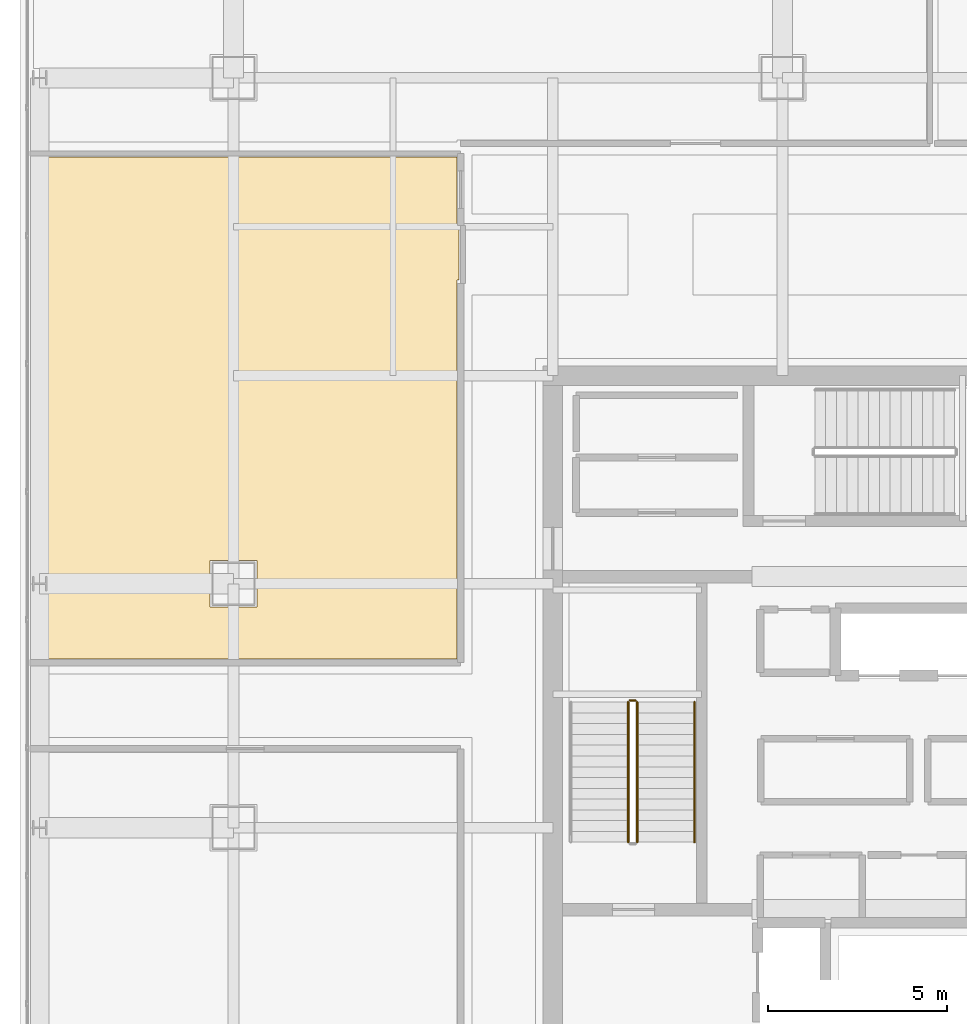
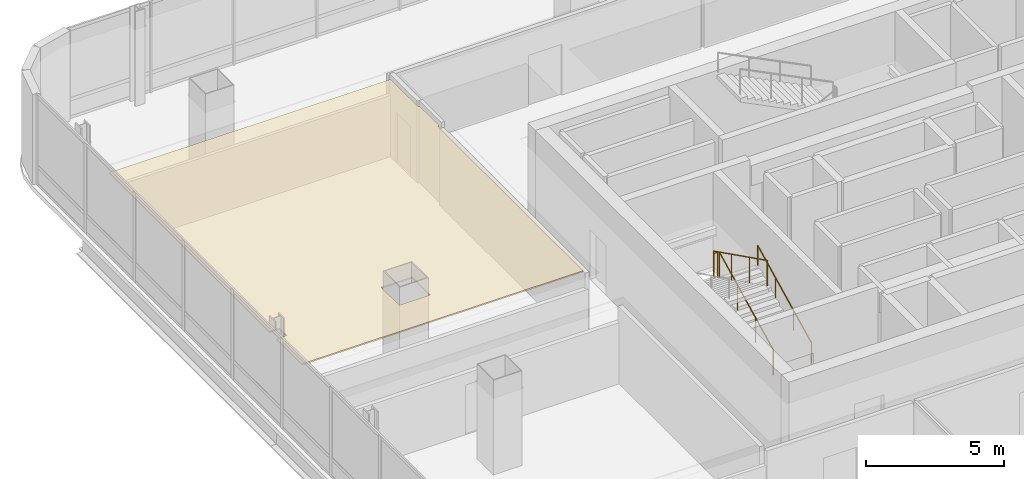
# One storey, part 38 of 43: 4 railings, 1 covering.
"""IFC4 building model written with IfcOpenShell, lengths in metres."""

from ifc_helpers import new_model, si_unit, direction, frame, origin, origin_2d, place, context, subcontext, project, spatial, polyline, circle, outline, extrude, material, layer, layer_set, type_object, element, save


model = new_model("IFC4")

# Units and contexts
model_context = context("Model", 3, precision=1e-05, world=origin(), true_north=direction((0.0, 1.0)))
body_context = subcontext(model_context, "Body", "Model", "MODEL_VIEW")
ifc_project = project(units=[si_unit("LENGTHUNIT", "METRE"), si_unit("AREAUNIT", "SQUARE_METRE"), si_unit("VOLUMEUNIT", "CUBIC_METRE"), si_unit("PLANEANGLEUNIT", "RADIAN"), si_unit("MASSUNIT", "GRAM", prefix="KILO")], contexts=[model_context])

# Site, building, storey
site_placement = place(None, origin())
site = spatial("IfcSite", under=ifc_project, at=site_placement, CompositionType="ELEMENT")
building_placement = place(site_placement, origin())
building = spatial("IfcBuilding", under=site, at=building_placement, Name="Punatoya Terracotta Tower", CompositionType="ELEMENT")
storey_placement = place(building_placement, frame((0.0, 0.0, 300.60009765625)))
storey = spatial("IfcBuildingStorey", under=building, at=storey_placement, Name="L71", CompositionType="ELEMENT", Elevation=300.60009765625)

# Covering
ifc_material_1 = material(Name="Acoustic Mineral Fibre Ceiling")
ifc_layer = layer(ifc_material_1, 0.06005859375)
ifc_layer_set = layer_set([ifc_layer], Name="Acoustic Mineral Fibre Ceiling")
covering_type = type_object("IfcCoveringType", Name="COV-CEIL-60", PredefinedType="CEILING", material=ifc_layer_set)
covering_placement = place(storey_placement, frame((0.0, 0.0, 3.389892578125)))
element("IfcCovering", 1, at=covering_placement, inside=storey, type_object=covering_type, Name="L71 Wellness Focus Room Acoustic Ceiling", PredefinedType="CEILING", context=body_context, shape_type="SweptSolid", body=[
    extrude(outline(polyline([(-12.8701171875, 11.8701171875), (-12.81005859375, 11.8701171875), (-12.81005859375, 13.280029296875), (-12.8701171875, 13.280029296875), (-12.8701171875, 15.2900390625), (-24.669921875, 15.2900390625), (-24.669921875, 3.657958984375), (-24.2470703125, 3.657958984375), (-24.2470703125, 3.14208984375), (-24.669921875, 3.14208984375), (-24.669921875, 1.300048828125), (-12.8701171875, 1.300048828125), (-12.8701171875, 11.8701171875)]), holes=[polyline([(-18.449951171875, 4.050048828125), (-18.449951171875, 2.75), (-19.75, 2.75), (-19.75, 4.050048828125), (-18.449951171875, 4.050048828125)])]), origin(), (0.0, 0.0, 1.0), 0.06005859375),
])

# Railings
ifc_material_2 = material(Name="Steel S355", Category="steel")
railing_type_1 = type_object("IfcRailingType", Name="RLG-GRD-1150", PredefinedType="GUARDRAIL", material=ifc_material_2)
railing_1_placement = place(storey_placement, frame((-7.85009765625, -3.800048828125, 0.14990234375)))
element("IfcRailing", 2, at=railing_1_placement, inside=storey, type_object=railing_type_1, Name="L71 ST-1 stair guard 1", PredefinedType="GUARDRAIL", context=body_context, shape_type="SweptSolid", body=[
    extrude(circle(Radius=0.02392578125, at=origin_2d()), frame((0.0, 0.0, 1.1259765625), z_axis=(0.0, 0.894438388696, 0.447191199406), x_axis=(-1.0, 0.0, 0.0)), (0.0, 0.0, 1.0), 4.3603515625),
    extrude(circle(Radius=0.02099609375, at=origin_2d()), origin(), (0.0, 0.0, 1.0), 1.101806640625),
    extrude(circle(Radius=0.02099609375, at=origin_2d()), frame((0.0, 1.300048828125, 0.64990234375)), (0.0, 0.0, 1.0), 1.101806640625),
    extrude(circle(Radius=0.02099609375, at=origin_2d()), frame((0.0, 2.60009765625, 1.300048828125)), (0.0, 0.0, 1.0), 1.101806640625),
    extrude(circle(Radius=0.02099609375, at=origin_2d()), frame((0.0, 3.900146484375, 1.949951171875)), (0.0, 0.0, 1.0), 1.101806640625),
])
railing_2_placement = place(storey_placement, frame((-7.89990234375, 0.14990234375, 2.099853515625)))
element("IfcRailing", 3, at=railing_2_placement, inside=storey, type_object=railing_type_1, Name="L71 ST-1 stair guard 2", PredefinedType="GUARDRAIL", context=body_context, shape_type="SweptSolid", body=[
    extrude(circle(Radius=0.02392578125, at=origin_2d()), frame((0.0, 0.0, 1.1259765625), z_axis=(-1.0, 0.0, 0.0), x_axis=(0.0, -1.0, 0.0)), (0.0, 0.0, 1.0), 0.150146484375),
    extrude(circle(Radius=0.02099609375, at=origin_2d()), origin(), (0.0, 0.0, 1.0), 1.101806640625),
    extrude(circle(Radius=0.02099609375, at=origin_2d()), frame((-0.150146484375, 0.0, 0.0)), (0.0, 0.0, 1.0), 1.101806640625),
])
railing_3_placement = place(storey_placement, frame((-8.10009765625, 0.10009765625, 2.25)))
element("IfcRailing", 4, at=railing_3_placement, inside=storey, type_object=railing_type_1, Name="L71 ST-1 stair guard 3", PredefinedType="GUARDRAIL", context=body_context, shape_type="SweptSolid", body=[
    extrude(circle(Radius=0.02392578125, at=origin_2d()), frame((0.0, 0.0, 1.1259765625), z_axis=(0.0, -0.894438388696, 0.447191199406), x_axis=(1.0, 0.0, 0.0)), (0.0, 0.0, 1.0), 4.3603515625),
    extrude(circle(Radius=0.02099609375, at=origin_2d()), origin(), (0.0, 0.0, 1.0), 1.101806640625),
    extrude(circle(Radius=0.02099609375, at=origin_2d()), frame((0.0, -1.300048828125, 0.64990234375)), (0.0, 0.0, 1.0), 1.101806640625),
    extrude(circle(Radius=0.02099609375, at=origin_2d()), frame((0.0, -2.60009765625, 1.300048828125)), (0.0, 0.0, 1.0), 1.101806640625),
    extrude(circle(Radius=0.02099609375, at=origin_2d()), frame((0.0, -3.900146484375, 1.949951171875)), (0.0, 0.0, 1.0), 1.101806640625),
])
railing_type_2 = type_object("IfcRailingType", Name="RLG-HND-900", PredefinedType="HANDRAIL", material=ifc_material_2)
railing_4_placement = place(storey_placement, frame((-6.25, -3.800048828125, 0.14990234375)))
element("IfcRailing", 5, at=railing_4_placement, inside=storey, type_object=railing_type_2, Name="L71 ST-1 stair handrail 1", PredefinedType="HANDRAIL", context=body_context, shape_type="SweptSolid", body=[
    extrude(circle(Radius=0.02392578125, at=origin_2d()), frame((0.0, 0.0, 0.8759765625), z_axis=(0.0, 0.894438388696, 0.447191199406), x_axis=(-1.0, 0.0, 0.0)), (0.0, 0.0, 1.0), 4.3603515625),
    extrude(circle(Radius=0.02099609375, at=origin_2d()), origin(), (0.0, 0.0, 1.0), 0.851806640625),
    extrude(circle(Radius=0.02099609375, at=origin_2d()), frame((0.0, 1.300048828125, 0.64990234375)), (0.0, 0.0, 1.0), 0.851806640625),
    extrude(circle(Radius=0.02099609375, at=origin_2d()), frame((0.0, 2.60009765625, 1.300048828125)), (0.0, 0.0, 1.0), 0.851806640625),
    extrude(circle(Radius=0.02099609375, at=origin_2d()), frame((0.0, 3.900146484375, 1.949951171875)), (0.0, 0.0, 1.0), 0.851806640625),
])

save(model, "model.ifc")
